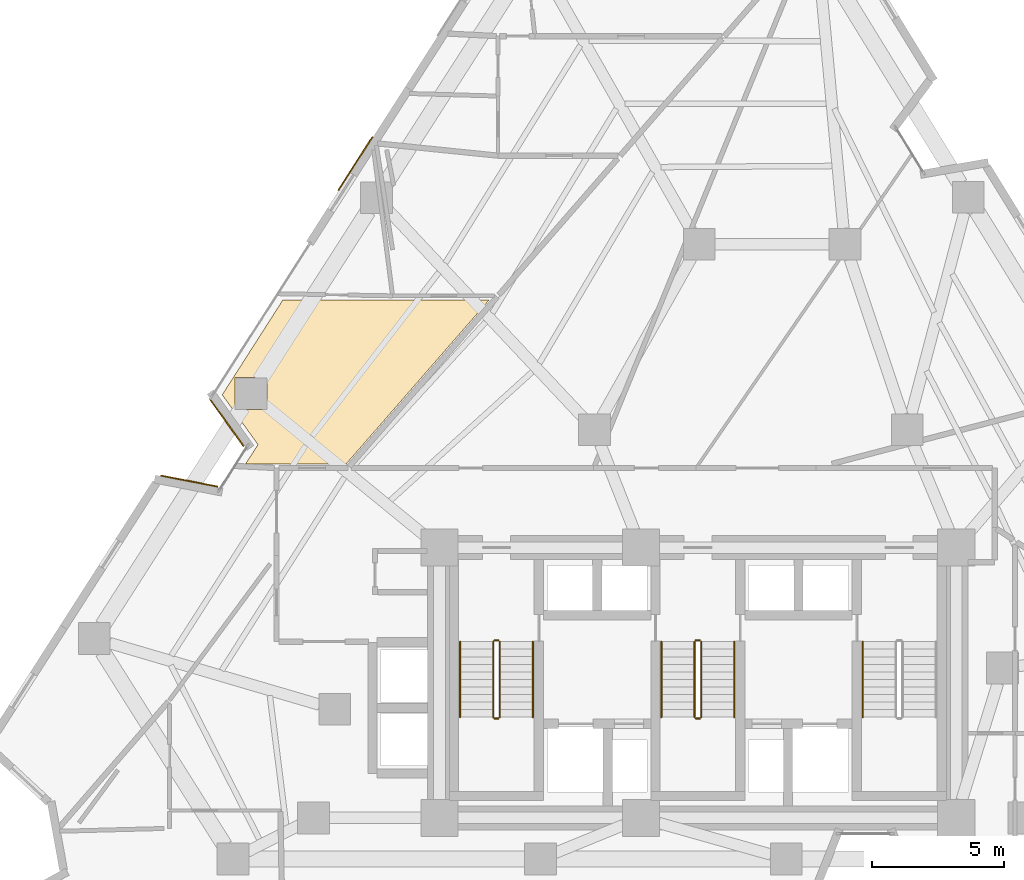
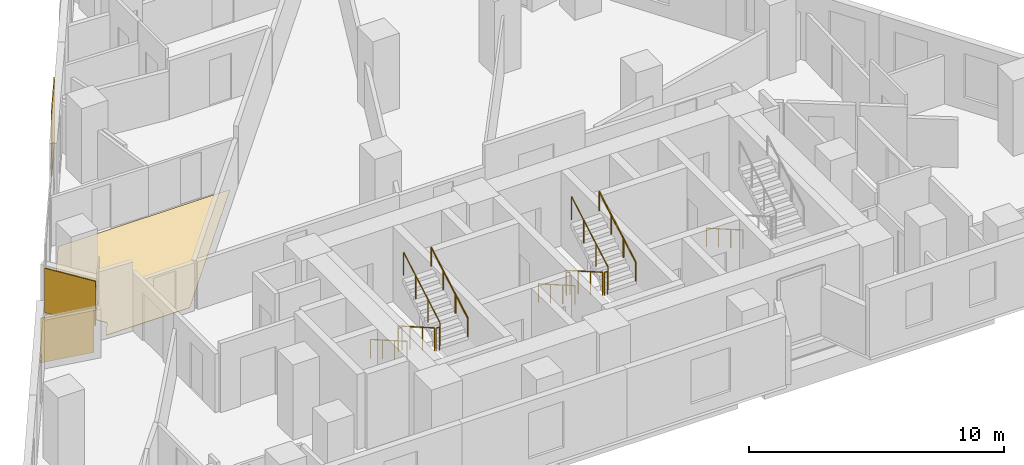
# One storey, part 12 of 13: 13 railings, 4 coverings.
"""IFC4 building model written with IfcOpenShell, lengths in metres."""

from ifc_helpers import new_model, si_unit, direction, frame, origin, origin_2d, place, context, subcontext, project, spatial, polyline, rectangle, circle, outline, extrude, material, layer, layer_set, type_object, element, save


model = new_model("IFC4")

# Units and contexts
model_context = context("Model", 3, precision=1e-05, world=origin(), true_north=direction((0.0, 1.0)))
body_context = subcontext(model_context, "Body", "Model", "MODEL_VIEW")
ifc_project = project(units=[si_unit("LENGTHUNIT", "METRE"), si_unit("AREAUNIT", "SQUARE_METRE"), si_unit("VOLUMEUNIT", "CUBIC_METRE"), si_unit("PLANEANGLEUNIT", "RADIAN"), si_unit("MASSUNIT", "GRAM", prefix="KILO")], contexts=[model_context])

# Site, building, storey
site_placement = place(None, origin())
site = spatial("IfcSite", under=ifc_project, at=site_placement, CompositionType="ELEMENT")
building_placement = place(site_placement, origin())
building = spatial("IfcBuilding", under=site, at=building_placement, Name="Almagre Mirador Tower", CompositionType="ELEMENT")
storey_placement = place(building_placement, frame((0.0, 0.0, 96.60009765625)))
storey = spatial("IfcBuildingStorey", under=building, at=storey_placement, Name="L24", CompositionType="ELEMENT", Elevation=96.60009765625)

# Coverings
ifc_material_1 = material(Name="Almagre terracotta architectural cladding", Category="masonry")
ifc_layer_1 = layer(ifc_material_1, 0.044921875)
ifc_layer_set_1 = layer_set([ifc_layer_1], Name="Almagre terracotta architectural cladding")
covering_type_1 = type_object("IfcCoveringType", Name="COV-CLAD-ALMAGRE", PredefinedType="CLADDING", material=ifc_layer_set_1)
covering_1_placement = place(storey_placement, frame((18.105224609375, 17.25830078125, 0.099853515625), z_axis=(0.0, 0.0, 1.0), x_axis=(0.981746878502, -0.190192183203, 0.0)))
element("IfcCovering", 1, at=covering_1_placement, inside=storey, type_object=covering_type_1, Name="L24 almagre terracotta pier cladding", PredefinedType="CLADDING", context=body_context, shape_type="SweptSolid", body=[
    extrude(rectangle(XDim=2.193115234375, YDim=0.044921875, at=origin_2d()), origin(), (0.0, 0.0, 1.0), 2.125),
])
covering_2_placement = place(storey_placement, frame((19.521240234375, 19.468505859375, 0.099853515625), z_axis=(0.0, 0.0, 1.0), x_axis=(-0.583002488864, 0.812470367446, 0.0)))
element("IfcCovering", 2, at=covering_2_placement, inside=storey, type_object=covering_type_1, Name="L24 almagre terracotta pier cladding", PredefinedType="CLADDING", context=body_context, shape_type="SweptSolid", body=[
    extrude(rectangle(XDim=2.194091796875, YDim=0.044921875, at=origin_2d()), origin(), (0.0, 0.0, 1.0), 2.125),
])
covering_3_placement = place(storey_placement, frame((24.3759765625, 29.239990234375, 0.099853515625), z_axis=(0.0, 0.0, 1.0), x_axis=(0.53944697543, 0.842019572635, 0.0)))
element("IfcCovering", 3, at=covering_3_placement, inside=storey, type_object=covering_type_1, Name="L24 almagre terracotta pier cladding", PredefinedType="CLADDING", context=body_context, shape_type="SweptSolid", body=[
    extrude(rectangle(XDim=2.39990234375, YDim=0.044921875, at=origin_2d()), origin(), (0.0, 0.0, 1.0), 3.10009765625),
])
ifc_material_2 = material(Name="Engineered white oak flooring", Category="wood")
ifc_layer_2 = layer(ifc_material_2, 0.01806640625)
ifc_layer_set_2 = layer_set([ifc_layer_2], Name="Engineered white oak flooring")
covering_type_2 = type_object("IfcCoveringType", Name="COV-FLR-OAK-18", PredefinedType="FLOORING", material=ifc_layer_set_2)
covering_4_placement = place(storey_placement, origin())
element("IfcCovering", 4, at=covering_4_placement, inside=storey, type_object=covering_type_2, Name="L24 Unit L24-G Family Dining Salon finish flooring", PredefinedType="FLOORING", context=body_context, shape_type="SweptSolid", body=[
    extrude(outline(polyline([(19.35107421875, 20.514892578125), (21.64208984375, 24.10009765625), (29.429931640625, 24.10009765625), (24.02197265625, 17.89990234375), (20.22607421875, 17.89990234375), (20.701904296875, 18.634033203125), (19.35107421875, 20.514892578125)]), holes=[polyline([(19.8369140625, 19.951904296875), (19.8369140625, 21.162109375), (21.047119140625, 21.162109375), (21.047119140625, 19.951904296875), (19.8369140625, 19.951904296875)])]), origin(), (0.0, 0.0, 1.0), 0.017822265625),
])

# Railings
ifc_material_3 = material(Name="Painted galvanized steel", Category="steel")
railing_type_1 = type_object("IfcRailingType", Name="RLG-GRD-1100", PredefinedType="GUARDRAIL", material=ifc_material_3)
railing_1_placement = place(storey_placement, frame((29.574951171875, 11.199951171875, 0.16357421875)))
element("IfcRailing", 5, at=railing_1_placement, inside=storey, type_object=railing_type_1, Name="L24 ST-1 stair guard 1", PredefinedType="GUARDRAIL", context=body_context, shape_type="SweptSolid", body=[
    extrude(circle(Radius=0.02392578125, at=origin_2d()), frame((0.0, 0.0, 1.09619140625), z_axis=(0.0, -0.867226363773, 0.497914082927), x_axis=(1.0, 0.0, 0.0)), (0.0, 0.0, 1.0), 3.2861328125),
    extrude(circle(Radius=0.02099609375, at=origin_2d()), origin(), (0.0, 0.0, 1.0), 1.072021484375),
    extrude(circle(Radius=0.02099609375, at=origin_2d()), frame((0.0, -0.949951171875, 0.54541015625)), (0.0, 0.0, 1.0), 1.072021484375),
    extrude(circle(Radius=0.02099609375, at=origin_2d()), frame((0.0, -1.89990234375, 1.0908203125)), (0.0, 0.0, 1.0), 1.072021484375),
    extrude(circle(Radius=0.02099609375, at=origin_2d()), frame((0.0, -2.849853515625, 1.63623046875)), (0.0, 0.0, 1.0), 1.072021484375),
])
railing_2_placement = place(storey_placement, frame((29.625, 8.300048828125, 1.7998046875)))
element("IfcRailing", 6, at=railing_2_placement, inside=storey, type_object=railing_type_1, Name="L24 ST-1 stair guard 2", PredefinedType="GUARDRAIL", context=body_context, shape_type="SweptSolid", body=[
    extrude(circle(Radius=0.02392578125, at=origin_2d()), frame((0.0, 0.0, 1.09619140625), z_axis=(1.0, 0.0, 0.0), x_axis=(0.0, 1.0, 0.0)), (0.0, 0.0, 1.0), 0.14990234375),
    extrude(circle(Radius=0.02099609375, at=origin_2d()), origin(), (0.0, 0.0, 1.0), 1.072021484375),
    extrude(circle(Radius=0.02099609375, at=origin_2d()), frame((0.14990234375, 0.0, 0.0)), (0.0, 0.0, 1.0), 1.072021484375),
])
railing_3_placement = place(storey_placement, frame((29.824951171875, 8.35009765625, 1.963623046875)))
element("IfcRailing", 7, at=railing_3_placement, inside=storey, type_object=railing_type_1, Name="L24 ST-1 stair guard 3", PredefinedType="GUARDRAIL", context=body_context, shape_type="SweptSolid", body=[
    extrude(circle(Radius=0.02392578125, at=origin_2d()), frame((0.0, 0.0, 1.09619140625), z_axis=(0.0, 0.867226363773, 0.497914082927), x_axis=(-1.0, 0.0, 0.0)), (0.0, 0.0, 1.0), 3.2861328125),
    extrude(circle(Radius=0.02099609375, at=origin_2d()), origin(), (0.0, 0.0, 1.0), 1.072021484375),
    extrude(circle(Radius=0.02099609375, at=origin_2d()), frame((0.0, 0.949951171875, 0.54541015625)), (0.0, 0.0, 1.0), 1.072021484375),
    extrude(circle(Radius=0.02099609375, at=origin_2d()), frame((0.0, 1.89990234375, 1.0908203125)), (0.0, 0.0, 1.0), 1.072021484375),
    extrude(circle(Radius=0.02099609375, at=origin_2d()), frame((0.0, 2.849853515625, 1.63623046875)), (0.0, 0.0, 1.0), 1.072021484375),
])
railing_4_placement = place(storey_placement, frame((29.625, 11.25, 0.0)))
element("IfcRailing", 8, at=railing_4_placement, inside=storey, type_object=railing_type_1, Name="L24 ST-1 stair guard 4", PredefinedType="GUARDRAIL", context=body_context, shape_type="SweptSolid", body=[
    extrude(circle(Radius=0.02392578125, at=origin_2d()), frame((0.0, 0.0, 1.09619140625), z_axis=(1.0, 0.0, 0.0), x_axis=(0.0, 1.0, 0.0)), (0.0, 0.0, 1.0), 0.14990234375),
    extrude(circle(Radius=0.02099609375, at=origin_2d()), origin(), (0.0, 0.0, 1.0), 1.072021484375),
    extrude(circle(Radius=0.02099609375, at=origin_2d()), frame((0.14990234375, 0.0, 0.0)), (0.0, 0.0, 1.0), 1.072021484375),
])
railing_5_placement = place(storey_placement, frame((37.175048828125, 11.199951171875, 0.16357421875)))
element("IfcRailing", 9, at=railing_5_placement, inside=storey, type_object=railing_type_1, Name="L24 ST-2 stair guard 1", PredefinedType="GUARDRAIL", context=body_context, shape_type="SweptSolid", body=[
    extrude(circle(Radius=0.02392578125, at=origin_2d()), frame((0.0, 0.0, 1.09619140625), z_axis=(0.0, -0.867226363773, 0.497914082927), x_axis=(1.0, 0.0, 0.0)), (0.0, 0.0, 1.0), 3.2861328125),
    extrude(circle(Radius=0.02099609375, at=origin_2d()), origin(), (0.0, 0.0, 1.0), 1.072021484375),
    extrude(circle(Radius=0.02099609375, at=origin_2d()), frame((0.0, -0.949951171875, 0.54541015625)), (0.0, 0.0, 1.0), 1.072021484375),
    extrude(circle(Radius=0.02099609375, at=origin_2d()), frame((0.0, -1.89990234375, 1.0908203125)), (0.0, 0.0, 1.0), 1.072021484375),
    extrude(circle(Radius=0.02099609375, at=origin_2d()), frame((0.0, -2.849853515625, 1.63623046875)), (0.0, 0.0, 1.0), 1.072021484375),
])
railing_6_placement = place(storey_placement, frame((37.22509765625, 8.300048828125, 1.7998046875)))
element("IfcRailing", 10, at=railing_6_placement, inside=storey, type_object=railing_type_1, Name="L24 ST-2 stair guard 2", PredefinedType="GUARDRAIL", context=body_context, shape_type="SweptSolid", body=[
    extrude(circle(Radius=0.02392578125, at=origin_2d()), frame((0.0, 0.0, 1.09619140625), z_axis=(1.0, 0.0, 0.0), x_axis=(0.0, 1.0, 0.0)), (0.0, 0.0, 1.0), 0.14990234375),
    extrude(circle(Radius=0.02099609375, at=origin_2d()), origin(), (0.0, 0.0, 1.0), 1.072021484375),
    extrude(circle(Radius=0.02099609375, at=origin_2d()), frame((0.14990234375, 0.0, 0.0)), (0.0, 0.0, 1.0), 1.072021484375),
])
railing_7_placement = place(storey_placement, frame((37.425048828125, 8.35009765625, 1.963623046875)))
element("IfcRailing", 11, at=railing_7_placement, inside=storey, type_object=railing_type_1, Name="L24 ST-2 stair guard 3", PredefinedType="GUARDRAIL", context=body_context, shape_type="SweptSolid", body=[
    extrude(circle(Radius=0.02392578125, at=origin_2d()), frame((0.0, 0.0, 1.09619140625), z_axis=(0.0, 0.867226363773, 0.497914082927), x_axis=(-1.0, 0.0, 0.0)), (0.0, 0.0, 1.0), 3.2861328125),
    extrude(circle(Radius=0.02099609375, at=origin_2d()), origin(), (0.0, 0.0, 1.0), 1.072021484375),
    extrude(circle(Radius=0.02099609375, at=origin_2d()), frame((0.0, 0.949951171875, 0.54541015625)), (0.0, 0.0, 1.0), 1.072021484375),
    extrude(circle(Radius=0.02099609375, at=origin_2d()), frame((0.0, 1.89990234375, 1.0908203125)), (0.0, 0.0, 1.0), 1.072021484375),
    extrude(circle(Radius=0.02099609375, at=origin_2d()), frame((0.0, 2.849853515625, 1.63623046875)), (0.0, 0.0, 1.0), 1.072021484375),
])
railing_8_placement = place(storey_placement, frame((37.22509765625, 11.25, 0.0)))
element("IfcRailing", 12, at=railing_8_placement, inside=storey, type_object=railing_type_1, Name="L24 ST-2 stair guard 4", PredefinedType="GUARDRAIL", context=body_context, shape_type="SweptSolid", body=[
    extrude(circle(Radius=0.02392578125, at=origin_2d()), frame((0.0, 0.0, 1.09619140625), z_axis=(1.0, 0.0, 0.0), x_axis=(0.0, 1.0, 0.0)), (0.0, 0.0, 1.0), 0.14990234375),
    extrude(circle(Radius=0.02099609375, at=origin_2d()), origin(), (0.0, 0.0, 1.0), 1.072021484375),
    extrude(circle(Radius=0.02099609375, at=origin_2d()), frame((0.14990234375, 0.0, 0.0)), (0.0, 0.0, 1.0), 1.072021484375),
])
ifc_material_4 = material(Name="Brushed stainless steel", Category="steel")
railing_type_2 = type_object("IfcRailingType", Name="RLG-HND-915", PredefinedType="HANDRAIL", material=ifc_material_4)
railing_9_placement = place(storey_placement, frame((28.324951171875, 11.199951171875, 0.16357421875)))
element("IfcRailing", 13, at=railing_9_placement, inside=storey, type_object=railing_type_2, Name="L24 ST-1 stair handrail 1", PredefinedType="HANDRAIL", context=body_context, shape_type="SweptSolid", body=[
    extrude(circle(Radius=0.02392578125, at=origin_2d()), frame((0.0, 0.0, 0.89111328125), z_axis=(0.0, -0.867226363773, 0.497914082927), x_axis=(1.0, 0.0, 0.0)), (0.0, 0.0, 1.0), 3.2861328125),
    extrude(circle(Radius=0.02099609375, at=origin_2d()), origin(), (0.0, 0.0, 1.0), 0.866943359375),
    extrude(circle(Radius=0.02099609375, at=origin_2d()), frame((0.0, -0.949951171875, 0.54541015625)), (0.0, 0.0, 1.0), 0.866943359375),
    extrude(circle(Radius=0.02099609375, at=origin_2d()), frame((0.0, -1.89990234375, 1.0908203125)), (0.0, 0.0, 1.0), 0.866943359375),
    extrude(circle(Radius=0.02099609375, at=origin_2d()), frame((0.0, -2.849853515625, 1.63623046875)), (0.0, 0.0, 1.0), 0.866943359375),
])
railing_10_placement = place(storey_placement, frame((31.074951171875, 8.35009765625, 1.963623046875)))
element("IfcRailing", 14, at=railing_10_placement, inside=storey, type_object=railing_type_2, Name="L24 ST-1 stair handrail 2", PredefinedType="HANDRAIL", context=body_context, shape_type="SweptSolid", body=[
    extrude(circle(Radius=0.02392578125, at=origin_2d()), frame((0.0, 0.0, 0.89111328125), z_axis=(0.0, 0.867226363773, 0.497914082927), x_axis=(-1.0, 0.0, 0.0)), (0.0, 0.0, 1.0), 3.2861328125),
    extrude(circle(Radius=0.02099609375, at=origin_2d()), origin(), (0.0, 0.0, 1.0), 0.866943359375),
    extrude(circle(Radius=0.02099609375, at=origin_2d()), frame((0.0, 0.949951171875, 0.54541015625)), (0.0, 0.0, 1.0), 0.866943359375),
    extrude(circle(Radius=0.02099609375, at=origin_2d()), frame((0.0, 1.89990234375, 1.0908203125)), (0.0, 0.0, 1.0), 0.866943359375),
    extrude(circle(Radius=0.02099609375, at=origin_2d()), frame((0.0, 2.849853515625, 1.63623046875)), (0.0, 0.0, 1.0), 0.866943359375),
])
railing_11_placement = place(storey_placement, frame((35.925048828125, 11.199951171875, 0.16357421875)))
element("IfcRailing", 15, at=railing_11_placement, inside=storey, type_object=railing_type_2, Name="L24 ST-2 stair handrail 1", PredefinedType="HANDRAIL", context=body_context, shape_type="SweptSolid", body=[
    extrude(circle(Radius=0.02392578125, at=origin_2d()), frame((0.0, 0.0, 0.89111328125), z_axis=(0.0, -0.867226363773, 0.497914082927), x_axis=(1.0, 0.0, 0.0)), (0.0, 0.0, 1.0), 3.2861328125),
    extrude(circle(Radius=0.02099609375, at=origin_2d()), origin(), (0.0, 0.0, 1.0), 0.866943359375),
    extrude(circle(Radius=0.02099609375, at=origin_2d()), frame((0.0, -0.949951171875, 0.54541015625)), (0.0, 0.0, 1.0), 0.866943359375),
    extrude(circle(Radius=0.02099609375, at=origin_2d()), frame((0.0, -1.89990234375, 1.0908203125)), (0.0, 0.0, 1.0), 0.866943359375),
    extrude(circle(Radius=0.02099609375, at=origin_2d()), frame((0.0, -2.849853515625, 1.63623046875)), (0.0, 0.0, 1.0), 0.866943359375),
])
railing_12_placement = place(storey_placement, frame((38.675048828125, 8.35009765625, 1.963623046875)))
element("IfcRailing", 16, at=railing_12_placement, inside=storey, type_object=railing_type_2, Name="L24 ST-2 stair handrail 2", PredefinedType="HANDRAIL", context=body_context, shape_type="SweptSolid", body=[
    extrude(circle(Radius=0.02392578125, at=origin_2d()), frame((0.0, 0.0, 0.89111328125), z_axis=(0.0, 0.867226363773, 0.497914082927), x_axis=(-1.0, 0.0, 0.0)), (0.0, 0.0, 1.0), 3.2861328125),
    extrude(circle(Radius=0.02099609375, at=origin_2d()), origin(), (0.0, 0.0, 1.0), 0.866943359375),
    extrude(circle(Radius=0.02099609375, at=origin_2d()), frame((0.0, 0.949951171875, 0.54541015625)), (0.0, 0.0, 1.0), 0.866943359375),
    extrude(circle(Radius=0.02099609375, at=origin_2d()), frame((0.0, 1.89990234375, 1.0908203125)), (0.0, 0.0, 1.0), 0.866943359375),
    extrude(circle(Radius=0.02099609375, at=origin_2d()), frame((0.0, 2.849853515625, 1.63623046875)), (0.0, 0.0, 1.0), 0.866943359375),
])
railing_13_placement = place(storey_placement, frame((43.52490234375, 11.199951171875, 0.16357421875)))
element("IfcRailing", 17, at=railing_13_placement, inside=storey, type_object=railing_type_2, Name="L24 ST-3 stair handrail 1", PredefinedType="HANDRAIL", context=body_context, shape_type="SweptSolid", body=[
    extrude(circle(Radius=0.02392578125, at=origin_2d()), frame((0.0, 0.0, 0.89111328125), z_axis=(0.0, -0.867226363773, 0.497914082927), x_axis=(1.0, 0.0, 0.0)), (0.0, 0.0, 1.0), 3.2861328125),
    extrude(circle(Radius=0.02099609375, at=origin_2d()), origin(), (0.0, 0.0, 1.0), 0.866943359375),
    extrude(circle(Radius=0.02099609375, at=origin_2d()), frame((0.0, -0.949951171875, 0.54541015625)), (0.0, 0.0, 1.0), 0.866943359375),
    extrude(circle(Radius=0.02099609375, at=origin_2d()), frame((0.0, -1.89990234375, 1.0908203125)), (0.0, 0.0, 1.0), 0.866943359375),
    extrude(circle(Radius=0.02099609375, at=origin_2d()), frame((0.0, -2.849853515625, 1.63623046875)), (0.0, 0.0, 1.0), 0.866943359375),
])

save(model, "model.ifc")
